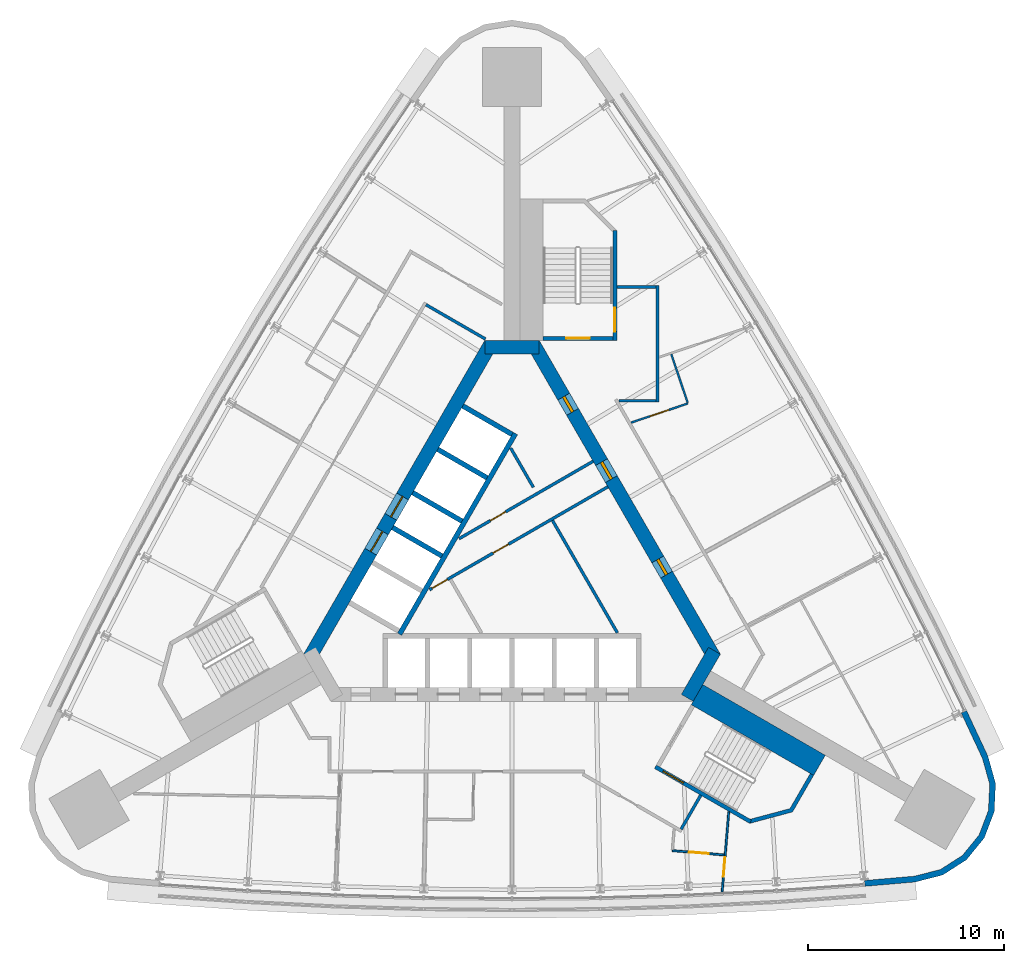
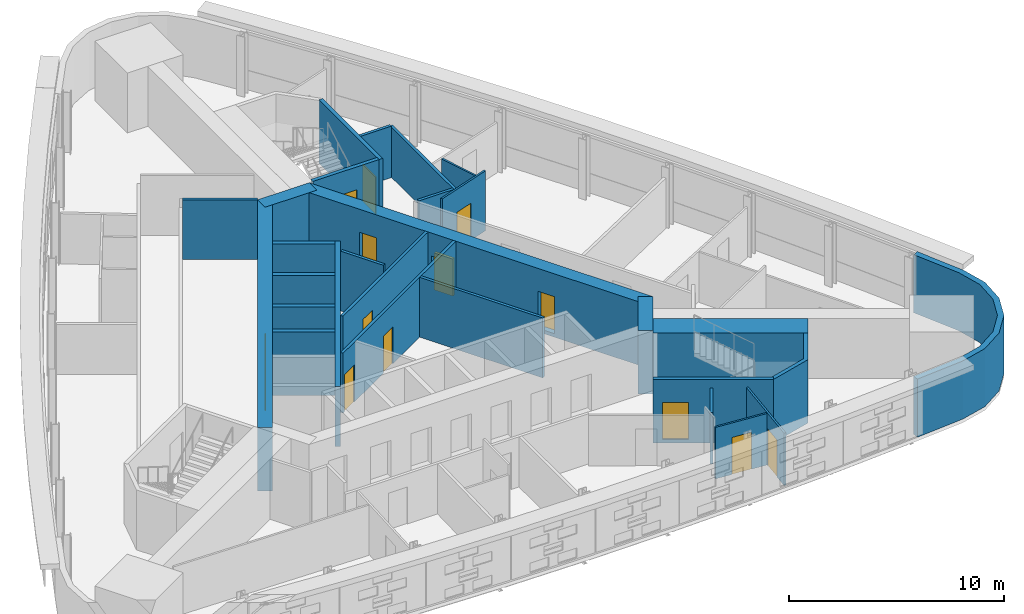
# One storey, part 8 of 11: 28 walls, 14 doors, 14 openings.
"""IFC4 building model written with IfcOpenShell, lengths in metres."""

from ifc_helpers import new_model, si_unit, direction, frame, frame_2d, origin, place, context, subcontext, project, spatial, polyline, rectangle, outline, extrude, material, layer, layer_set, type_object, element, fill, save


model = new_model("IFC4")

# Units and contexts
model_context = context("Model", 3, precision=1e-05, world=origin(), true_north=direction((0.0, 1.0)))
body_context = subcontext(model_context, "Body", "Model", "MODEL_VIEW")
ifc_project = project(units=[si_unit("LENGTHUNIT", "METRE"), si_unit("AREAUNIT", "SQUARE_METRE"), si_unit("VOLUMEUNIT", "CUBIC_METRE"), si_unit("PLANEANGLEUNIT", "RADIAN"), si_unit("MASSUNIT", "GRAM", prefix="KILO")], contexts=[model_context])

# Site, building, storey
site_placement = place(None, origin())
site = spatial("IfcSite", under=ifc_project, at=site_placement, CompositionType="ELEMENT")
building_placement = place(site_placement, origin())
building = spatial("IfcBuilding", under=site, at=building_placement, Name="Noor Cloister Tower", CompositionType="ELEMENT")
storey_placement = place(building_placement, frame((0.0, 0.0, 113.10009765625)))
storey = spatial("IfcBuildingStorey", under=building, at=storey_placement, Name="L29", CompositionType="ELEMENT", Elevation=113.10009765625)

# Wall, openings, doors
ifc_material_1 = material(Name="Concrete C30/37", Category="concrete")
ifc_layer_1 = layer(ifc_material_1, 0.14990234375)
ifc_layer_set_1 = layer_set([ifc_layer_1], Name="Core partition 150 C30/37")
wall_type_1 = type_object("IfcWallType", Name="Core partition 150 C30/37", PredefinedType="PARTITIONING", material=ifc_layer_set_1)
wall_1_placement = place(storey_placement, frame((-4.19775390625, -1.244384765625, 0.0), z_axis=(0.0, 0.0, 1.0), x_axis=(0.866020798945, 0.500007975732, 0.0)))
wall_1 = element("IfcWall", 1, at=wall_1_placement, inside=storey, type_object=wall_type_1, Name="Core room partition L29 1", PredefinedType="PARTITIONING", context=body_context, shape_type="SweptSolid", body=[
    extrude(rectangle(XDim=10.485595703125, YDim=0.14990234375, at=frame_2d((5.24267578125, 0.0))), origin(), (0.0, 0.0, 1.0), 3.39990234375),
])
opening_1_placement = place(wall_1_placement, frame((3.735595703125, 0.0, 0.0)))
opening_1 = element("IfcOpeningElement", 2, at=opening_1_placement, cuts=wall_1, Name="Opening L29-904", PredefinedType="OPENING", context=body_context, shape_type="SweptSolid", body=[
    extrude(rectangle(XDim=0.89990234375, YDim=2.10009765625, at=frame_2d((0.449951171875, 1.050048828125))), frame((0.0, 0.0849609375, 0.0), z_axis=(0.0, -1.0, 0.0), x_axis=(1.0, 0.0, 0.0)), (0.0, 0.0, 1.0), 0.169921875),
])
opening_2_placement = place(wall_1_placement, frame((0.143798828125, 0.0, 0.0)))
opening_2 = element("IfcOpeningElement", 3, at=opening_2_placement, cuts=wall_1, Name="Opening L29-906", PredefinedType="OPENING", context=body_context, shape_type="SweptSolid", body=[
    extrude(rectangle(XDim=0.89990234375, YDim=2.10009765625, at=frame_2d((0.449951171875, 1.050048828125))), frame((0.0, 0.0849609375, 0.0), z_axis=(0.0, -1.0, 0.0), x_axis=(1.0, 0.0, 0.0)), (0.0, 0.0, 1.0), 0.169921875),
])
ifc_material_2 = material(Name="Steel", Category="steel")
door_type_1 = type_object("IfcDoorType", Name="Core door 900 x 2100 FD120", OperationType="SINGLE_SWING_LEFT", PredefinedType="DOOR", material=ifc_material_2)
door_1_placement = place(opening_2_placement, origin())
door_1 = element("IfcDoor", 4, at=door_1_placement, inside=storey, type_object=door_type_1, Name="Core door 6 L29", OperationType="SINGLE_SWING_RIGHT", OverallHeight=2.10009765625, OverallWidth=0.89990234375, PredefinedType="DOOR", context=body_context, shape_type="SweptSolid", body=[
    extrude(rectangle(XDim=0.89990234375, YDim=2.10009765625, at=frame_2d((0.449951171875, 1.050048828125))), frame((0.0, 0.02490234375, 0.0), z_axis=(0.0, -1.0, 0.0), x_axis=(1.0, 0.0, 0.0)), (0.0, 0.0, 1.0), 0.050048828125),
])
fill(opening_2, door_1)
ifc_material_3 = material(Name="Steel", Category="steel")
door_type_2 = type_object("IfcDoorType", Name="Core door 900 x 2100 FD60", OperationType="SINGLE_SWING_LEFT", PredefinedType="DOOR", material=ifc_material_3)
door_2_placement = place(opening_1_placement, origin())
door_2 = element("IfcDoor", 5, at=door_2_placement, inside=storey, type_object=door_type_2, Name="Core door 4 L29", OperationType="SINGLE_SWING_RIGHT", OverallHeight=2.10009765625, OverallWidth=0.89990234375, PredefinedType="DOOR", context=body_context, shape_type="SweptSolid", body=[
    extrude(rectangle(XDim=0.89990234375, YDim=2.10009765625, at=frame_2d((0.449951171875, 1.050048828125))), frame((0.0, 0.02490234375, 0.0), z_axis=(0.0, -1.0, 0.0), x_axis=(1.0, 0.0, 0.0)), (0.0, 0.0, 1.0), 0.050048828125),
])
fill(opening_1, door_2)

# Wall
wall_2_placement = place(storey_placement, frame((5.36669921875, -3.439208984375, 0.0), z_axis=(0.0, 0.0, 1.0), x_axis=(-0.499981499682, 0.866036084685, 0.0)))
element("IfcWall", 6, at=wall_2_placement, inside=storey, type_object=wall_type_1, Name="Core room partition L29 2", PredefinedType="PARTITIONING", context=body_context, shape_type="SweptSolid", body=[
    extrude(rectangle(XDim=6.608154296875, YDim=0.14990234375, at=frame_2d((3.30419921875, 0.0))), origin(), (0.0, 0.0, 1.0), 3.39990234375),
])

# Wall, opening, door
wall_3_placement = place(storey_placement, frame((-2.69775390625, 1.353759765625, 0.0), z_axis=(0.0, 0.0, 1.0), x_axis=(0.866021157486, 0.500007354732, 0.0)))
wall_3 = element("IfcWall", 7, at=wall_3_placement, inside=storey, type_object=wall_type_1, Name="Core room partition L29 4", PredefinedType="PARTITIONING", context=body_context, shape_type="SweptSolid", body=[
    extrude(rectangle(XDim=7.8876953125, YDim=0.14990234375, at=frame_2d((3.94384765625, 0.0))), origin(), (0.0, 0.0, 1.0), 3.39990234375),
])
opening_3_placement = place(wall_3_placement, frame((1.8447265625, 0.0, 0.0)))
opening_3 = element("IfcOpeningElement", 8, at=opening_3_placement, cuts=wall_3, Name="Opening L29-905", PredefinedType="OPENING", context=body_context, shape_type="SweptSolid", body=[
    extrude(rectangle(XDim=0.89990234375, YDim=2.10009765625, at=frame_2d((0.449951171875, 1.050048828125))), frame((0.0, 0.0849609375, 0.0), z_axis=(0.0, -1.0, 0.0), x_axis=(1.0, 0.0, 0.0)), (0.0, 0.0, 1.0), 0.169921875),
])
door_3_placement = place(opening_3_placement, origin())
door_3 = element("IfcDoor", 9, at=door_3_placement, inside=storey, type_object=door_type_1, Name="Core door 5 L29", OperationType="SINGLE_SWING_LEFT", OverallHeight=2.10009765625, OverallWidth=0.89990234375, PredefinedType="DOOR", context=body_context, shape_type="SweptSolid", body=[
    extrude(rectangle(XDim=0.89990234375, YDim=2.10009765625, at=frame_2d((0.449951171875, 1.050048828125))), frame((0.0, 0.02490234375, 0.0), z_axis=(0.0, -1.0, 0.0), x_axis=(1.0, 0.0, 0.0)), (0.0, 0.0, 1.0), 0.050048828125),
])
fill(opening_3, door_3)

# Walls
wall_4_placement = place(storey_placement, frame((1.087890625, 3.972412109375, 0.0), z_axis=(0.0, 0.0, 1.0), x_axis=(-0.500116913307, 0.865957893332, 0.0)))
element("IfcWall", 10, at=wall_4_placement, inside=storey, type_object=wall_type_1, Name="Core room partition L29 5", PredefinedType="PARTITIONING", context=body_context, shape_type="SweptSolid", body=[
    extrude(rectangle(XDim=2.3037109375, YDim=0.14990234375, at=frame_2d((1.15185546875, 0.0))), origin(), (0.0, 0.0, 1.0), 3.39990234375),
])
ifc_material_4 = material(Name="Concrete C80/95", Category="concrete")
ifc_layer_2 = layer(ifc_material_4, 0.699951171875)
ifc_layer_set_2 = layer_set([ifc_layer_2], Name="Core wall 700 C80/95")
wall_type_2 = type_object("IfcWallType", Name="Core wall 700 C80/95", PredefinedType="SHEAR", material=ifc_layer_set_2)
wall_5_placement = place(storey_placement, frame((8.925537109375, -6.753173828125, -0.2001953125), z_axis=(0.0, 0.0, 1.0), x_axis=(0.500042739161, 0.866000726912, 0.0)))
element("IfcWall", 11, at=wall_5_placement, inside=storey, type_object=wall_type_2, Name="Core wall L29 2", PredefinedType="SHEAR", context=body_context, shape_type="SweptSolid", body=[
    extrude(rectangle(XDim=2.771240234375, YDim=0.699951171875, at=frame_2d((1.3857421875, 0.0))), origin(), (0.0, 0.0, 1.0), 3.60009765625),
])

# Wall, openings, doors
wall_6_placement = place(storey_placement, frame((10.311279296875, -4.703125, -0.2001953125), z_axis=(0.0, 0.0, 1.0), x_axis=(-0.500001446645, 0.866024568562, 0.0)))
wall_6 = element("IfcWall", 12, at=wall_6_placement, inside=storey, type_object=wall_type_2, Name="Core wall L29 3", PredefinedType="SHEAR", context=body_context, shape_type="SweptSolid", body=[
    extrude(rectangle(XDim=18.45751953125, YDim=0.699951171875, at=frame_2d((9.228759765625, 0.0))), origin(), (0.0, 0.0, 1.0), 3.60009765625),
])
opening_4_placement = place(wall_6_placement, frame((10.5, 0.0, 0.199951171875)))
opening_4 = element("IfcOpeningElement", 13, at=opening_4_placement, cuts=wall_6, Name="Opening L29-901", PredefinedType="OPENING", context=body_context, shape_type="SweptSolid", body=[
    extrude(rectangle(XDim=1.0, YDim=2.10009765625, at=frame_2d((0.5, 1.050048828125))), frame((0.0, 0.35986328125, 0.0), z_axis=(0.0, -1.0, 0.0), x_axis=(1.0, 0.0, 0.0)), (0.0, 0.0, 1.0), 0.719970703125),
])
opening_5_placement = place(wall_6_placement, frame((4.876953125, 0.0, 0.199951171875)))
opening_5 = element("IfcOpeningElement", 14, at=opening_5_placement, cuts=wall_6, Name="Opening L29-902", PredefinedType="OPENING", context=body_context, shape_type="SweptSolid", body=[
    extrude(rectangle(XDim=0.89990234375, YDim=2.10009765625, at=frame_2d((0.449951171875, 1.050048828125))), frame((0.0, 0.35986328125, 0.0), z_axis=(0.0, -1.0, 0.0), x_axis=(1.0, 0.0, 0.0)), (0.0, 0.0, 1.0), 0.719970703125),
])
opening_6_placement = place(wall_6_placement, frame((14.45166015625, 0.0, 0.199951171875)))
opening_6 = element("IfcOpeningElement", 15, at=opening_6_placement, cuts=wall_6, Name="Opening L29-903", PredefinedType="OPENING", context=body_context, shape_type="SweptSolid", body=[
    extrude(rectangle(XDim=0.89990234375, YDim=2.10009765625, at=frame_2d((0.449951171875, 1.050048828125))), frame((0.0, 0.35986328125, 0.0), z_axis=(0.0, -1.0, 0.0), x_axis=(1.0, 0.0, 0.0)), (0.0, 0.0, 1.0), 0.719970703125),
])
ifc_material_5 = material(Name="Steel", Category="steel")
door_type_3 = type_object("IfcDoorType", Name="Core door 1000 x 2100 FD120", OperationType="SINGLE_SWING_LEFT", PredefinedType="DOOR", material=ifc_material_5)
door_4_placement = place(opening_4_placement, origin())
door_4 = element("IfcDoor", 16, at=door_4_placement, inside=storey, type_object=door_type_3, Name="Core door 1 L29", OperationType="SINGLE_SWING_LEFT", OverallHeight=2.10009765625, OverallWidth=1.0, PredefinedType="DOOR", context=body_context, shape_type="SweptSolid", body=[
    extrude(rectangle(XDim=1.0, YDim=2.10009765625, at=frame_2d((0.5, 1.050048828125))), frame((0.0, 0.074951171875, 0.0), z_axis=(0.0, -1.0, 0.0), x_axis=(1.0, 0.0, 0.0)), (0.0, 0.0, 1.0), 0.14990234375),
])
fill(opening_4, door_4)
door_5_placement = place(opening_5_placement, origin())
door_5 = element("IfcDoor", 17, at=door_5_placement, inside=storey, type_object=door_type_1, Name="Core door 2 L29", OperationType="SINGLE_SWING_RIGHT", OverallHeight=2.10009765625, OverallWidth=0.89990234375, PredefinedType="DOOR", context=body_context, shape_type="SweptSolid", body=[
    extrude(rectangle(XDim=0.89990234375, YDim=2.10009765625, at=frame_2d((0.449951171875, 1.050048828125))), frame((0.0, 0.074951171875, 0.0), z_axis=(0.0, -1.0, 0.0), x_axis=(1.0, 0.0, 0.0)), (0.0, 0.0, 1.0), 0.14990234375),
])
fill(opening_5, door_5)
door_6_placement = place(opening_6_placement, origin())
door_6 = element("IfcDoor", 18, at=door_6_placement, inside=storey, type_object=door_type_1, Name="Core door 3 L29", OperationType="SINGLE_SWING_LEFT", OverallHeight=2.10009765625, OverallWidth=0.89990234375, PredefinedType="DOOR", context=body_context, shape_type="SweptSolid", body=[
    extrude(rectangle(XDim=0.89990234375, YDim=2.10009765625, at=frame_2d((0.449951171875, 1.050048828125))), frame((0.0, 0.074951171875, 0.0), z_axis=(0.0, -1.0, 0.0), x_axis=(1.0, 0.0, 0.0)), (0.0, 0.0, 1.0), 0.14990234375),
])
fill(opening_6, door_6)

# Wall
wall_7_placement = place(storey_placement, frame((1.3857421875, 11.1064453125, -0.2001953125), z_axis=(0.0, 0.0, 1.0), x_axis=(-1.0, 0.0, 0.0)))
element("IfcWall", 19, at=wall_7_placement, inside=storey, type_object=wall_type_2, Name="Core wall L29 4", PredefinedType="SHEAR", context=body_context, shape_type="SweptSolid", body=[
    extrude(rectangle(XDim=2.771484375, YDim=0.699951171875, at=frame_2d((1.3857421875, 0.0))), origin(), (0.0, 0.0, 1.0), 3.60009765625),
])

# Wall, openings, doors
wall_8_placement = place(storey_placement, frame((-1.08251953125, 11.281494140625, -0.2001953125), z_axis=(0.0, 0.0, 1.0), x_axis=(-0.500001446645, -0.866024568562, 0.0)))
wall_8 = element("IfcWall", 20, at=wall_8_placement, inside=storey, type_object=wall_type_2, Name="Core wall L29 5", PredefinedType="SHEAR", context=body_context, shape_type="SweptSolid", body=[
    extrude(rectangle(XDim=18.45751953125, YDim=0.699951171875, at=frame_2d((9.228759765625, 0.0))), origin(), (0.0, 0.0, 1.0), 3.60009765625),
])
opening_7_placement = place(wall_8_placement, frame((8.978759765625, 0.0, 0.199951171875)))
opening_7 = element("IfcOpeningElement", 21, at=opening_7_placement, cuts=wall_8, Name="Opening L29-FF1", PredefinedType="OPENING", context=body_context, shape_type="SweptSolid", body=[
    extrude(rectangle(XDim=1.199951171875, YDim=2.10009765625, at=frame_2d((0.60009765625, 1.050048828125))), frame((0.0, 0.35986328125, 0.0), z_axis=(0.0, -1.0, 0.0), x_axis=(1.0, 0.0, 0.0)), (0.0, 0.0, 1.0), 0.719970703125),
])
opening_8_placement = place(wall_8_placement, frame((11.02880859375, 0.0, 0.199951171875)))
opening_8 = element("IfcOpeningElement", 22, at=opening_8_placement, cuts=wall_8, Name="Opening L29-FF2", PredefinedType="OPENING", context=body_context, shape_type="SweptSolid", body=[
    extrude(rectangle(XDim=1.199951171875, YDim=2.10009765625, at=frame_2d((0.60009765625, 1.050048828125))), frame((0.0, 0.35986328125, 0.0), z_axis=(0.0, -1.0, 0.0), x_axis=(1.0, 0.0, 0.0)), (0.0, 0.0, 1.0), 0.719970703125),
])
ifc_material_6 = material(Name="Stainless steel", Category="steel")
door_type_4 = type_object("IfcDoorType", Name="Lift landing door 1200 x 2100", OperationType="DOUBLE_DOOR_SLIDING", PredefinedType="DOOR", material=ifc_material_6)
door_7_placement = place(opening_7_placement, origin())
door_7 = element("IfcDoor", 23, at=door_7_placement, inside=storey, type_object=door_type_4, Name="Landing door FF1 L29", OperationType="DOUBLE_DOOR_SLIDING", OverallHeight=2.10009765625, OverallWidth=1.199951171875, PredefinedType="DOOR", context=body_context, shape_type="SweptSolid", body=[
    extrude(rectangle(XDim=1.199951171875, YDim=2.10009765625, at=frame_2d((0.60009765625, 1.050048828125))), frame((0.0, 0.02490234375, 0.0), z_axis=(0.0, -1.0, 0.0), x_axis=(1.0, 0.0, 0.0)), (0.0, 0.0, 1.0), 0.050048828125),
])
fill(opening_7, door_7)
door_8_placement = place(opening_8_placement, origin())
door_8 = element("IfcDoor", 24, at=door_8_placement, inside=storey, type_object=door_type_4, Name="Landing door FF2 L29", OperationType="DOUBLE_DOOR_SLIDING", OverallHeight=2.10009765625, OverallWidth=1.199951171875, PredefinedType="DOOR", context=body_context, shape_type="SweptSolid", body=[
    extrude(rectangle(XDim=1.199951171875, YDim=2.10009765625, at=frame_2d((0.60009765625, 1.050048828125))), frame((0.0, 0.02490234375, 0.0), z_axis=(0.0, -1.0, 0.0), x_axis=(1.0, 0.0, 0.0)), (0.0, 0.0, 1.0), 0.050048828125),
])
fill(opening_8, door_8)

# Walls
ifc_material_7 = material(Name="Fire-rated gypsum board partition on steel studs, 150 mm", Category="steel")
ifc_layer_3 = layer(ifc_material_7, 0.14990234375)
ifc_layer_set_3 = layer_set([ifc_layer_3], Name="Fire lobby wall 150")
wall_type_3 = type_object("IfcWallType", Name="Fire lobby wall 150", PredefinedType="PARTITIONING", material=ifc_layer_set_3)
wall_9_placement = place(storey_placement, frame((-4.379150390625, 13.271484375, 0.0), z_axis=(0.0, 0.0, 1.0), x_axis=(0.866019471182, -0.500010275428, 0.0)))
element("IfcWall", 25, at=wall_9_placement, inside=storey, type_object=wall_type_3, Name="Fire lobby wall 150 L29 008", PredefinedType="PARTITIONING", context=body_context, shape_type="SweptSolid", body=[
    extrude(rectangle(XDim=3.5, YDim=0.14990234375, at=frame_2d((1.75, 0.0))), origin(), (0.0, 0.0, 1.0), 3.39990234375),
])
ifc_material_8 = material(Name="Gypsum board partition on steel studs, 150 mm", Category="steel")
ifc_layer_4 = layer(ifc_material_8, 0.14990234375)
ifc_layer_set_4 = layer_set([ifc_layer_4], Name="Flat wall 150")
wall_type_4 = type_object("IfcWallType", Name="Flat wall 150", PredefinedType="PARTITIONING", material=ifc_layer_set_4)
wall_10_placement = place(storey_placement, frame((7.41064453125, 8.306396484375, 0.0), z_axis=(0.0, 0.0, 1.0), x_axis=(0.0, 1.0, 0.0)))
element("IfcWall", 26, at=wall_10_placement, inside=storey, type_object=wall_type_4, Name="Flat wall 150 L29 006", PredefinedType="PARTITIONING", context=body_context, shape_type="SweptSolid", body=[
    extrude(rectangle(XDim=5.949951171875, YDim=0.14990234375, at=frame_2d((2.97509765625, 0.0))), origin(), (0.0, 0.0, 1.0), 2.846923828125),
])
for number, where, z_axis, x_axis, name in (
    (27, (5.335693359375, 14.181396484375, 0.0), (0.0, 0.0, 1.0), (1.0, 0.0, 0.0), "Flat wall 150 L29 009"),
    (28, (8.613525390625, -13.443603515625, 0.0), (0.0, 0.0, 1.0), (0.499972520799, 0.866041268327, 0.0), "Flat wall 150 L29 010"),
):
    element("IfcWall", number, at=place(storey_placement, frame(where, z_axis=z_axis, x_axis=x_axis)), inside=storey, type_object=wall_type_4, Name=name, PredefinedType="PARTITIONING", context=body_context, shape_type="SweptSolid", body=[
        extrude(rectangle(XDim=2.0, YDim=0.14990234375, at=frame_2d((1.0, 0.0))), origin(), (0.0, 0.0, 1.0), 2.9228515625),
    ])
wall_11_placement = place(storey_placement, frame((5.4560546875, 8.38134765625, 0.0), z_axis=(0.0, 0.0, 1.0), x_axis=(1.0, 0.0, 0.0)))
element("IfcWall", 29, at=wall_11_placement, inside=storey, type_object=wall_type_4, Name="Flat wall 150 L29 013", PredefinedType="PARTITIONING", context=body_context, shape_type="SweptSolid", body=[
    extrude(rectangle(XDim=1.879638671875, YDim=0.14990234375, at=frame_2d((0.93994140625, 0.0))), origin(), (0.0, 0.0, 1.0), 2.846923828125),
])
ifc_material_9 = material(Name="Limestone", Category="masonry")
ifc_layer_5 = layer(ifc_material_9, 0.300048828125)
ifc_layer_set_5 = layer_set([ifc_layer_5], Name="Limestone cladding 300")
wall_type_5 = type_object("IfcWallType", Name="Limestone cladding 300", PredefinedType="NOTDEFINED", material=ifc_layer_set_5)
wall_12_placement = place(storey_placement, origin())
element("IfcWall", 30, at=wall_12_placement, inside=storey, type_object=wall_type_5, Name="Limestone pier cladding L29 2.1", PredefinedType="NOTDEFINED", context=body_context, shape_type="SweptSolid", body=[
    extrude(outline(polyline([(17.980712890625, -16.35205078125), (20.550537109375, -16.13037109375), (21.940185546875, -15.77392578125), (23.1484375, -15.000244140625), (24.0537109375, -13.887451171875), (24.56494140625, -12.546875), (24.630615234375, -11.11376953125), (24.24462890625, -9.732177734375), (23.151611328125, -7.395751953125), (22.8798828125, -7.522705078125), (23.96240234375, -9.8369140625), (24.328857421875, -11.148193359375), (24.267333984375, -12.485107421875), (23.79052734375, -13.7353515625), (22.946044921875, -14.773681640625), (21.819091796875, -15.495361328125), (20.5, -15.83349609375), (17.954833984375, -16.05322265625), (17.980712890625, -16.35205078125)])), origin(), (0.0, 0.0, 1.0), 3.2998046875),
])

# Wall, opening, door
ifc_material_10 = material(Name="Gypsum board partition on steel studs, 100 mm", Category="steel")
ifc_layer_6 = layer(ifc_material_10, 0.10009765625)
ifc_layer_set_6 = layer_set([ifc_layer_6], Name="Partition 100")
wall_type_6 = type_object("IfcWallType", Name="Partition 100", PredefinedType="PARTITIONING", material=ifc_layer_set_6)
wall_13_placement = place(storey_placement, frame((11.040283203125, -12.559814453125, 0.0), z_axis=(0.0, 0.0, 1.0), x_axis=(-0.08207509454, -0.996626147989, 0.0)))
wall_13 = element("IfcWall", 31, at=wall_13_placement, inside=storey, type_object=wall_type_6, Name="Partition 100 L29 028", PredefinedType="PARTITIONING", context=body_context, shape_type="SweptSolid", body=[
    extrude(rectangle(XDim=4.10205078125, YDim=0.10009765625, at=frame_2d((2.051025390625, 0.0))), origin(), (0.0, 0.0, 1.0), 2.973876953125),
])
opening_9_placement = place(wall_13_placement, frame((2.32373046875, 0.0, 0.0)))
opening_9 = element("IfcOpeningElement", 32, at=opening_9_placement, cuts=wall_13, Name="Opening L29-018", PredefinedType="OPENING", context=body_context, shape_type="SweptSolid", body=[
    extrude(rectangle(XDim=1.0, YDim=2.10009765625, at=frame_2d((0.5, 1.050048828125))), frame((0.0, 0.06005859375, 0.0), z_axis=(0.0, -1.0, 0.0), x_axis=(1.0, 0.0, 0.0)), (0.0, 0.0, 1.0), 0.1201171875),
])
ifc_material_11 = material(Name="Timber door leaf with steel frame", Category="steel")
door_type_5 = type_object("IfcDoorType", Name="Interior door 1000", OperationType="NOTDEFINED", PredefinedType="DOOR", material=ifc_material_11)
door_9_placement = place(opening_9_placement, origin())
door_9 = element("IfcDoor", 33, at=door_9_placement, inside=storey, type_object=door_type_5, Name="Interior door 1000 L29-018", OperationType="SINGLE_SWING_RIGHT", OverallHeight=2.10009765625, OverallWidth=1.0, PredefinedType="DOOR", context=body_context, shape_type="SweptSolid", body=[
    extrude(rectangle(XDim=1.0, YDim=2.10009765625, at=frame_2d((0.5, 1.050048828125))), frame((0.0, 0.02490234375, 0.0), z_axis=(0.0, -1.0, 0.0), x_axis=(1.0, 0.0, 0.0)), (0.0, 0.0, 1.0), 0.050048828125),
])
fill(opening_9, door_9)

wall_14_placement = place(storey_placement, frame((6.06689453125, 7.267822265625, 0.0), z_axis=(0.0, 0.0, 1.0), x_axis=(0.94756585242, 0.319560565978, 0.0)))
wall_14 = element("IfcWall", 34, at=wall_14_placement, inside=storey, type_object=wall_type_6, Name="Partition 100 L29 030", PredefinedType="PARTITIONING", context=body_context, shape_type="SweptSolid", body=[
    extrude(rectangle(XDim=3.052978515625, YDim=0.10009765625, at=frame_2d((1.5263671875, 0.0))), origin(), (0.0, 0.0, 1.0), 3.39990234375),
])
opening_10_placement = place(wall_14_placement, frame((1.021484375, 0.0, 0.0)))
opening_10 = element("IfcOpeningElement", 35, at=opening_10_placement, cuts=wall_14, Name="Opening L29-020", PredefinedType="OPENING", context=body_context, shape_type="SweptSolid", body=[
    extrude(rectangle(XDim=1.0, YDim=2.10009765625, at=frame_2d((0.5, 1.050048828125))), frame((0.0, 0.06005859375, 0.0), z_axis=(0.0, -1.0, 0.0), x_axis=(1.0, 0.0, 0.0)), (0.0, 0.0, 1.0), 0.1201171875),
])
door_10_placement = place(opening_10_placement, origin())
door_10 = element("IfcDoor", 36, at=door_10_placement, inside=storey, type_object=door_type_5, Name="Interior door 1000 L29-020", OperationType="SINGLE_SWING_LEFT", OverallHeight=2.10009765625, OverallWidth=1.0, PredefinedType="DOOR", context=body_context, shape_type="SweptSolid", body=[
    extrude(rectangle(XDim=1.0, YDim=2.10009765625, at=frame_2d((0.5, 1.050048828125))), frame((0.0, 0.02490234375, 0.0), z_axis=(0.0, -1.0, 0.0), x_axis=(1.0, 0.0, 0.0)), (0.0, 0.0, 1.0), 0.050048828125),
])
fill(opening_10, door_10)

wall_15_placement = place(storey_placement, frame((8.16845703125, -14.534423828125, 0.0), z_axis=(0.0, 0.0, 1.0), x_axis=(0.996625350035, -0.082084783406, 0.0)))
wall_15 = element("IfcWall", 37, at=wall_15_placement, inside=storey, type_object=wall_type_6, Name="Partition 100 L29 031", PredefinedType="PARTITIONING", context=body_context, shape_type="SweptSolid", body=[
    extrude(rectangle(XDim=2.650146484375, YDim=0.10009765625, at=frame_2d((1.3251953125, 0.0))), origin(), (0.0, 0.0, 1.0), 2.9228515625),
])
opening_11_placement = place(wall_15_placement, frame((0.85009765625, 0.0, 0.0)))
opening_11 = element("IfcOpeningElement", 38, at=opening_11_placement, cuts=wall_15, Name="Opening L29-021", PredefinedType="OPENING", context=body_context, shape_type="SweptSolid", body=[
    extrude(rectangle(XDim=1.0, YDim=2.10009765625, at=frame_2d((0.5, 1.050048828125))), frame((0.0, 0.06005859375, 0.0), z_axis=(0.0, -1.0, 0.0), x_axis=(1.0, 0.0, 0.0)), (0.0, 0.0, 1.0), 0.1201171875),
])
door_11_placement = place(opening_11_placement, origin())
door_11 = element("IfcDoor", 39, at=door_11_placement, inside=storey, type_object=door_type_5, Name="Interior door 1000 L29-021", OperationType="SINGLE_SWING_RIGHT", OverallHeight=2.10009765625, OverallWidth=1.0, PredefinedType="DOOR", context=body_context, shape_type="SweptSolid", body=[
    extrude(rectangle(XDim=1.0, YDim=2.10009765625, at=frame_2d((0.5, 1.050048828125))), frame((0.0, 0.02490234375, 0.0), z_axis=(0.0, -1.0, 0.0), x_axis=(1.0, 0.0, 0.0)), (0.0, 0.0, 1.0), 0.050048828125),
])
fill(opening_11, door_11)

# Walls
wall_16_placement = place(storey_placement, frame((8.113037109375, 10.75439453125, 0.0), z_axis=(0.0, 0.0, 1.0), x_axis=(0.31954997077, -0.94756942552, 0.0)))
element("IfcWall", 40, at=wall_16_placement, inside=storey, type_object=wall_type_6, Name="Partition 100 L29 032", PredefinedType="PARTITIONING", context=body_context, shape_type="SweptSolid", body=[
    extrude(rectangle(XDim=2.599853515625, YDim=0.10009765625, at=frame_2d((1.2998046875, 0.0))), origin(), (0.0, 0.0, 1.0), 2.846923828125),
])
ifc_material_12 = material(Name="Concrete C80/95", Category="concrete")
ifc_layer_7 = layer(ifc_material_12, 0.25)
ifc_layer_set_7 = layer_set([ifc_layer_7], Name="Shaft wall 250 C80/95")
wall_type_7 = type_object("IfcWallType", Name="Shaft wall 250 C80/95", PredefinedType="PARTITIONING", material=ifc_layer_set_7)
wall_17_placement = place(storey_placement, frame((-2.50634765625, 8.115478515625, -0.2001953125), z_axis=(0.0, 0.0, 1.0), x_axis=(0.865996321171, -0.50005036918, 0.0)))
element("IfcWall", 41, at=wall_17_placement, inside=storey, type_object=wall_type_7, Name="Lift shaft wall L29 NW 1", PredefinedType="PARTITIONING", context=body_context, shape_type="SweptSolid", body=[
    extrude(rectangle(XDim=2.900146484375, YDim=0.25, at=frame_2d((1.4501953125, 0.0))), origin(), (0.0, 0.0, 1.0), 3.60009765625),
])
for number, where, z_axis, x_axis, name in (
    (42, (-3.78125, 5.906982421875, -0.2001953125), (0.0, 0.0, 1.0), (0.866032775405, -0.499987231761, 0.0), "Lift shaft wall L29 NW 2"),
    (43, (-5.056396484375, 3.69873046875, -0.2001953125), (0.0, 0.0, 1.0), (0.866032775405, -0.499987231761, 0.0), "Lift shaft wall L29 NW 3"),
    (44, (-6.081298828125, 1.92333984375, -0.2001953125), (0.0, 0.0, 1.0), (0.866032775405, -0.499987231761, 0.0), "Lift shaft wall L29 NW 4"),
):
    element("IfcWall", number, at=place(storey_placement, frame(where, z_axis=z_axis, x_axis=x_axis)), inside=storey, type_object=wall_type_7, Name=name, PredefinedType="PARTITIONING", context=body_context, shape_type="SweptSolid", body=[
        extrude(rectangle(XDim=2.89990234375, YDim=0.25, at=frame_2d((1.449951171875, 0.0))), origin(), (0.0, 0.0, 1.0), 3.60009765625),
    ])
wall_18_placement = place(storey_placement, frame((0.176025390625, 6.711181640625, 0.0), z_axis=(0.0, 0.0, 1.0), x_axis=(-0.500004227369, -0.866022963098, 0.0)))
element("IfcWall", 45, at=wall_18_placement, inside=storey, type_object=wall_type_7, Name="Lift shaft back wall L29 NW", PredefinedType="PARTITIONING", context=body_context, shape_type="SweptSolid", body=[
    extrude(rectangle(XDim=11.80029296875, YDim=0.25, at=frame_2d((5.900146484375, 0.0))), origin(), (0.0, 0.0, 1.0), 3.39990234375),
])
ifc_material_13 = material(Name="Concrete C80/95", Category="concrete")
ifc_layer_8 = layer(ifc_material_13, 1.18603515625)
ifc_layer_set_8 = layer_set([ifc_layer_8], Name="Stair enclosure wall 1186 C80/95")
wall_type_8 = type_object("IfcWallType", Name="Stair enclosure wall 1186 C80/95", PredefinedType="SHEAR", material=ifc_layer_set_8)
wall_19_placement = place(storey_placement, frame((9.425048828125, -6.587890625, -0.2001953125), z_axis=(0.0, 0.0, 1.0), x_axis=(0.866018442252, -0.500012057535, 0.0)))
element("IfcWall", 46, at=wall_19_placement, inside=storey, type_object=wall_type_8, Name="Stair enclosure wall ST3 L29 riser side", PredefinedType="SHEAR", context=body_context, shape_type="SweptSolid", body=[
    extrude(rectangle(XDim=7.199951171875, YDim=1.185546875, at=frame_2d((3.60009765625, 0.0))), origin(), (0.0, 0.0, 1.0), 3.60009765625),
])

# Wall, opening, door
ifc_material_14 = material(Name="Concrete C80/95", Category="concrete")
ifc_layer_9 = layer(ifc_material_14, 0.199951171875)
ifc_layer_set_9 = layer_set([ifc_layer_9], Name="Stair enclosure wall 200 C80/95")
wall_type_9 = type_object("IfcWallType", Name="Stair enclosure wall 200 C80/95", PredefinedType="SHEAR", material=ifc_layer_set_9)
wall_20_placement = place(storey_placement, frame((5.135498046875, 11.556396484375, -0.2001953125), z_axis=(0.0, 0.0, 1.0), x_axis=(-1.0, 0.0, 0.0)))
wall_20 = element("IfcWall", 47, at=wall_20_placement, inside=storey, type_object=wall_type_9, Name="Stair enclosure wall ST1 L29 near end", PredefinedType="SHEAR", context=body_context, shape_type="SweptSolid", body=[
    extrude(rectangle(XDim=3.5498046875, YDim=0.199951171875, at=frame_2d((1.77490234375, 0.0))), origin(), (0.0, 0.0, 1.0), 3.60009765625),
])
opening_12_placement = place(wall_20_placement, frame((1.175048828125, 0.0, 0.199951171875)))
opening_12 = element("IfcOpeningElement", 48, at=opening_12_placement, cuts=wall_20, Name="Opening L29-ST1L", PredefinedType="OPENING", context=body_context, shape_type="SweptSolid", body=[
    extrude(rectangle(XDim=1.199951171875, YDim=2.10009765625, at=frame_2d((0.60009765625, 1.050048828125))), frame((0.0, 0.10986328125, 0.0), z_axis=(0.0, -1.0, 0.0), x_axis=(1.0, 0.0, 0.0)), (0.0, 0.0, 1.0), 0.219970703125),
])
ifc_material_15 = material(Name="Steel", Category="steel")
door_type_6 = type_object("IfcDoorType", Name="Stair door 1200 x 2100 FD120", OperationType="SINGLE_SWING_LEFT", PredefinedType="DOOR", material=ifc_material_15)
door_12_placement = place(opening_12_placement, origin())
door_12 = element("IfcDoor", 49, at=door_12_placement, inside=storey, type_object=door_type_6, Name="Stair door ST1 L29", OperationType="SINGLE_SWING_RIGHT", OverallHeight=2.10009765625, OverallWidth=1.199951171875, PredefinedType="DOOR", context=body_context, shape_type="SweptSolid", body=[
    extrude(rectangle(XDim=1.199951171875, YDim=2.10009765625, at=frame_2d((0.60009765625, 1.050048828125))), frame((0.0, 0.02490234375, 0.0), z_axis=(0.0, -1.0, 0.0), x_axis=(1.0, 0.0, 0.0)), (0.0, 0.0, 1.0), 0.050048828125),
])
fill(opening_12, door_12)

wall_21_placement = place(storey_placement, frame((5.235595703125, 11.456298828125, -0.2001953125), z_axis=(0.0, 0.0, 1.0), x_axis=(0.0, 1.0, 0.0)))
wall_21 = element("IfcWall", 50, at=wall_21_placement, inside=storey, type_object=wall_type_9, Name="Stair enclosure wall ST1 L29 outer side", PredefinedType="SHEAR", context=body_context, shape_type="SweptSolid", body=[
    extrude(rectangle(XDim=5.60009765625, YDim=0.199951171875, at=frame_2d((2.800048828125, 0.0))), origin(), (0.0, 0.0, 1.0), 3.60009765625),
])
opening_13_placement = place(wall_21_placement, frame((0.449951171875, 0.0, 0.199951171875)))
opening_13 = element("IfcOpeningElement", 51, at=opening_13_placement, cuts=wall_21, Name="Opening L29-ST1C", PredefinedType="OPENING", context=body_context, shape_type="SweptSolid", body=[
    extrude(rectangle(XDim=1.199951171875, YDim=2.10009765625, at=frame_2d((0.60009765625, 1.050048828125))), frame((0.0, 0.10986328125, 0.0), z_axis=(0.0, -1.0, 0.0), x_axis=(1.0, 0.0, 0.0)), (0.0, 0.0, 1.0), 0.219970703125),
])
door_13_placement = place(opening_13_placement, origin())
door_13 = element("IfcDoor", 52, at=door_13_placement, inside=storey, type_object=door_type_6, Name="Stair door ST1 L29", OperationType="SINGLE_SWING_LEFT", OverallHeight=2.10009765625, OverallWidth=1.199951171875, PredefinedType="DOOR", context=body_context, shape_type="SweptSolid", body=[
    extrude(rectangle(XDim=1.199951171875, YDim=2.10009765625, at=frame_2d((0.60009765625, 1.050048828125))), frame((0.0, 0.02490234375, 0.0), z_axis=(0.0, -1.0, 0.0), x_axis=(1.0, 0.0, 0.0)), (0.0, 0.0, 1.0), 0.050048828125),
])
fill(opening_13, door_13)

wall_22_placement = place(storey_placement, frame((7.3037109375, -10.262451171875, -0.2001953125), z_axis=(0.0, 0.0, 1.0), x_axis=(0.866026594901, -0.49999793692, 0.0)))
wall_22 = element("IfcWall", 53, at=wall_22_placement, inside=storey, type_object=wall_type_9, Name="Stair enclosure wall ST3 L29 outer side", PredefinedType="SHEAR", context=body_context, shape_type="SweptSolid", body=[
    extrude(rectangle(XDim=5.60009765625, YDim=0.199951171875, at=frame_2d((2.800048828125, 0.0))), origin(), (0.0, 0.0, 1.0), 3.60009765625),
])
opening_14_placement = place(wall_22_placement, frame((0.449951171875, 0.0, 0.199951171875)))
opening_14 = element("IfcOpeningElement", 54, at=opening_14_placement, cuts=wall_22, Name="Opening L29-ST3C", PredefinedType="OPENING", context=body_context, shape_type="SweptSolid", body=[
    extrude(rectangle(XDim=1.199951171875, YDim=2.10009765625, at=frame_2d((0.60009765625, 1.050048828125))), frame((0.0, 0.10986328125, 0.0), z_axis=(0.0, -1.0, 0.0), x_axis=(1.0, 0.0, 0.0)), (0.0, 0.0, 1.0), 0.219970703125),
])
door_14_placement = place(opening_14_placement, origin())
door_14 = element("IfcDoor", 55, at=door_14_placement, inside=storey, type_object=door_type_6, Name="Stair door ST3 L29", OperationType="SINGLE_SWING_LEFT", OverallHeight=2.10009765625, OverallWidth=1.199951171875, PredefinedType="DOOR", context=body_context, shape_type="SweptSolid", body=[
    extrude(rectangle(XDim=1.199951171875, YDim=2.10009765625, at=frame_2d((0.60009765625, 1.050048828125))), frame((0.0, 0.02490234375, 0.0), z_axis=(0.0, -1.0, 0.0), x_axis=(1.0, 0.0, 0.0)), (0.0, 0.0, 1.0), 0.050048828125),
])
fill(opening_14, door_14)

# Wall
ifc_material_16 = material(Name="Concrete C80/95", Category="concrete")
wall_type_10 = type_object("IfcWallType", Name="Stair far end wall C80/95", PredefinedType="SHEAR", material=ifc_material_16)
wall_23_placement = place(storey_placement, frame((0.0, 0.0, -0.2001953125)))
element("IfcWall", 56, at=wall_23_placement, inside=storey, type_object=wall_type_10, Name="Stair enclosure wall ST3 L29 far end", PredefinedType="SHEAR", context=body_context, shape_type="SweptSolid", body=[
    extrude(outline(polyline([(12.103515625, -13.14892578125), (14.2890625, -12.5634765625), (15.364013671875, -10.701416015625), (15.19091796875, -10.601318359375), (14.1572265625, -12.3916015625), (12.131591796875, -12.934326171875), (12.20361328125, -12.975830078125), (12.20361328125, -12.975830078125), (12.20361328125, -12.975830078125), (12.20361328125, -12.975830078125), (12.20361328125, -12.975830078125), (12.20361328125, -12.975830078125), (12.20361328125, -12.975830078125), (12.20361328125, -12.975830078125), (12.20361328125, -12.975830078125), (12.20361328125, -12.975830078125), (12.20361328125, -12.975830078125), (12.20361328125, -12.975830078125), (12.20361328125, -12.975830078125), (12.20361328125, -12.975830078125), (12.20361328125, -12.975830078125), (12.20361328125, -12.975830078125), (12.20361328125, -12.975830078125), (12.103515625, -13.14892578125)])), origin(), (0.0, 0.0, 1.0), 3.60009765625),
])

save(model, "model.ifc")
